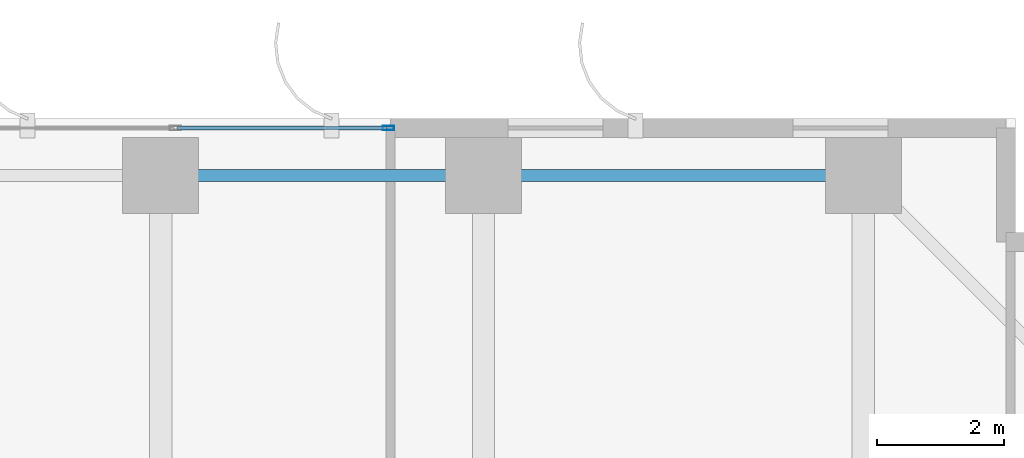
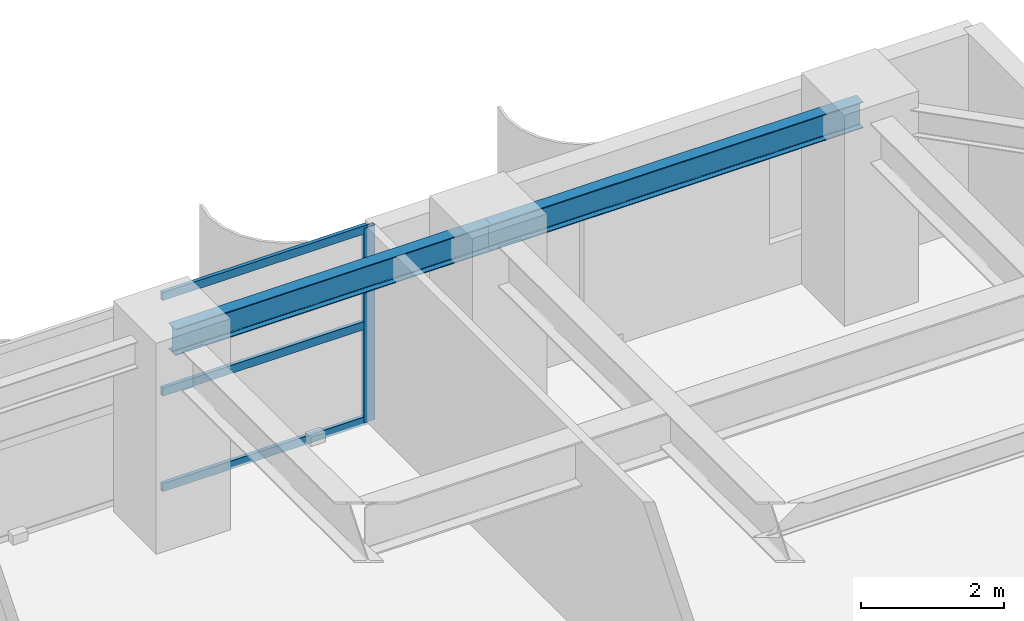
# One storey, part 13 of 22: 4 members, 2 beams, 1 element without a shape of its own.
"""IFC4 building model written with IfcOpenShell, lengths in metres."""

from ifc_helpers import new_model, si_unit, direction, frame, origin, origin_2d, place, context, subcontext, project, spatial, hollow_rectangle, i_section, extrude, source, transform, mapped, material, layer, layer_set, material_profile, profile_set, type_object, element, aggregate, save


model = new_model("IFC4")

# Units and contexts
model_context = context("Model", 3, precision=1e-05, world=origin(), true_north=direction((0.0, 1.0)))
body_context = subcontext(model_context, "Body", "Model", "MODEL_VIEW")
ifc_project = project(units=[si_unit("LENGTHUNIT", "METRE"), si_unit("AREAUNIT", "SQUARE_METRE"), si_unit("VOLUMEUNIT", "CUBIC_METRE"), si_unit("PLANEANGLEUNIT", "RADIAN"), si_unit("MASSUNIT", "GRAM", prefix="KILO")], contexts=[model_context])

# Site, building, storey
site_placement = place(None, origin())
site = spatial("IfcSite", under=ifc_project, at=site_placement, CompositionType="ELEMENT")
building_placement = place(site_placement, origin())
building = spatial("IfcBuilding", under=site, at=building_placement, Name="Khoralis Quay Care Tower", CompositionType="ELEMENT")
storey_placement = place(building_placement, frame((0.0, 0.0, 44.10009765625)))
storey = spatial("IfcBuildingStorey", under=building, at=storey_placement, Name="L11", CompositionType="ELEMENT", Elevation=44.10009765625)

# Beams
ifc_material_1 = material(Name="Steel S355", Category="steel")
ifc_material_profile_1 = material_profile(ifc_material_1, i_section(OverallWidth=0.18994140625, OverallDepth=0.449951171875, WebThickness=0.009521484375, FlangeThickness=0.0146484375, FilletRadius=0.02099609375, at=origin_2d()), Name="Steel S355")
ifc_profile_set_1 = profile_set([ifc_material_profile_1], Name="Steel S355")
beam_type = type_object("IfcBeamType", Name="BM-IPE450", PredefinedType="SPANDREL", material=ifc_profile_set_1)
shared_shape_1 = source(origin(), body_context, "Body", "SweptSolid", [
    extrude(i_section(OverallWidth=0.18994140625, OverallDepth=0.449951171875, WebThickness=0.009521484375, FlangeThickness=0.0146484375, FilletRadius=0.02099609375, at=origin_2d()), origin(), (0.0, 0.0, 1.0), 6.0),
])
beam_1_placement = place(storey_placement, frame((36.0, 47.10009765625, 3.094970703125), z_axis=(1.0, 0.0, 0.0), x_axis=(0.0, 1.0, 0.0)))
element("IfcBeam", 1, at=beam_1_placement, inside=storey, type_object=beam_type, Name="BM-TSP-L11-12", PredefinedType="SPANDREL", context=body_context, shape_type="MappedRepresentation", body=[
    mapped(shared_shape_1, transform((0.0, 0.0, 0.0), scale=1.0)),
])
shared_shape_2 = source(origin(), body_context, "Body", "SweptSolid", [
    extrude(i_section(OverallWidth=0.18994140625, OverallDepth=0.449951171875, WebThickness=0.009521484375, FlangeThickness=0.0146484375, FilletRadius=0.02099609375, at=origin_2d()), origin(), (0.0, 0.0, 1.0), 5.10009765625),
])
beam_2_placement = place(storey_placement, frame((30.89990234375, 47.10009765625, 3.094970703125), z_axis=(1.0, 0.0, 0.0), x_axis=(0.0, 1.0, 0.0)))
element("IfcBeam", 2, at=beam_2_placement, inside=storey, type_object=beam_type, Name="BM-TSP-L11-11", PredefinedType="SPANDREL", context=body_context, shape_type="MappedRepresentation", body=[
    mapped(shared_shape_2, transform((0.0, 0.0, 0.0), scale=1.0)),
])

# Curtain wall, members
ifc_material_2 = material(Name="Pale anodised aluminium", Category="aluminium")
ifc_layer = layer(ifc_material_2, 0.179931640625)
ifc_layer_set = layer_set([ifc_layer], Name="Pale anodised aluminium")
curtain_wall_type = type_object("IfcCurtainWallType", Name="CW-SYS-Z1", PredefinedType="NOTDEFINED", material=ifc_layer_set)
curtain_wall_placement = place(storey_placement, origin())
curtain_wall = element("IfcCurtainWall", 3, at=curtain_wall_placement, inside=storey, type_object=curtain_wall_type, Name="L11 Unitised Curtain Wall CW-L11-P1-E10", PredefinedType="NOTDEFINED")
ifc_material_profile_2 = material_profile(ifc_material_2, hollow_rectangle(XDim=0.06494140625, YDim=0.179931640625, WallThickness=0.00390625, at=origin_2d()), Name="Pale anodised aluminium")
ifc_profile_set_2 = profile_set([ifc_material_profile_2], Name="Pale anodised aluminium")
member_type_1 = type_object("IfcMemberType", Name="CW-MUL-180", PredefinedType="MULLION", material=ifc_profile_set_2)
shared_shape_3 = source(origin(), body_context, "Body", "SweptSolid", [
    extrude(hollow_rectangle(XDim=0.06494140625, YDim=0.179931640625, WallThickness=0.00390625, at=origin_2d()), origin(), (0.0, 0.0, 1.0), 3.31982421875),
])
member_1_placement = place(storey_placement, frame((34.5, 47.85009765625, 0.0), z_axis=(0.0, 0.0, 1.0), x_axis=(0.0, -1.0, 0.0)))
member_1 = element("IfcMember", 4, at=member_1_placement, type_object=member_type_1, Name="CW1 mullion 1", PredefinedType="MULLION", context=body_context, shape_type="MappedRepresentation", body=[
    mapped(shared_shape_3, transform((0.0, 0.0, 0.0), scale=1.0)),
])
ifc_material_profile_3 = material_profile(ifc_material_2, hollow_rectangle(XDim=0.06005859375, YDim=0.139892578125, WallThickness=0.00390625, at=origin_2d()), Name="Pale anodised aluminium")
ifc_profile_set_3 = profile_set([ifc_material_profile_3], Name="Pale anodised aluminium")
member_type_2 = type_object("IfcMemberType", Name="CW-TRN-140", PredefinedType="USERDEFINED", material=ifc_profile_set_3)
shared_shape_4 = source(origin(), body_context, "Body", "SweptSolid", [
    extrude(hollow_rectangle(XDim=0.06005859375, YDim=0.139892578125, WallThickness=0.00390625, at=origin_2d()), origin(), (0.0, 0.0, 1.0), 3.30322265625),
])
member_2_placement = place(storey_placement, frame((34.469970703125, 47.85009765625, 0.02978515625), z_axis=(-1.0, 0.0, 0.0), x_axis=(0.0, -1.0, 0.0)))
member_2 = element("IfcMember", 5, at=member_2_placement, type_object=member_type_2, Name="CW1 transom 1.1", ObjectType="TRANSOM", PredefinedType="USERDEFINED", context=body_context, shape_type="MappedRepresentation", body=[
    mapped(shared_shape_4, transform((0.0, 0.0, 0.0), scale=1.0)),
])
member_3_placement = place(storey_placement, frame((34.469970703125, 47.85009765625, 1.659912109375), z_axis=(-1.0, 0.0, 0.0), x_axis=(0.0, -1.0, 0.0)))
member_3 = element("IfcMember", 6, at=member_3_placement, type_object=member_type_2, Name="CW1 transom 1.2", ObjectType="TRANSOM", PredefinedType="USERDEFINED", context=body_context, shape_type="MappedRepresentation", body=[
    mapped(shared_shape_4, transform((0.0, 0.0, 0.0), scale=1.0)),
])
member_4_placement = place(storey_placement, frame((34.469970703125, 47.85009765625, 3.289794921875), z_axis=(-1.0, 0.0, 0.0), x_axis=(0.0, -1.0, 0.0)))
member_4 = element("IfcMember", 7, at=member_4_placement, type_object=member_type_2, Name="CW1 transom 1.3", ObjectType="TRANSOM", PredefinedType="USERDEFINED", context=body_context, shape_type="MappedRepresentation", body=[
    mapped(shared_shape_4, transform((0.0, 0.0, 0.0), scale=1.0)),
])
aggregate(curtain_wall, [member_1, member_2, member_3, member_4])

save(model, "model.ifc")
